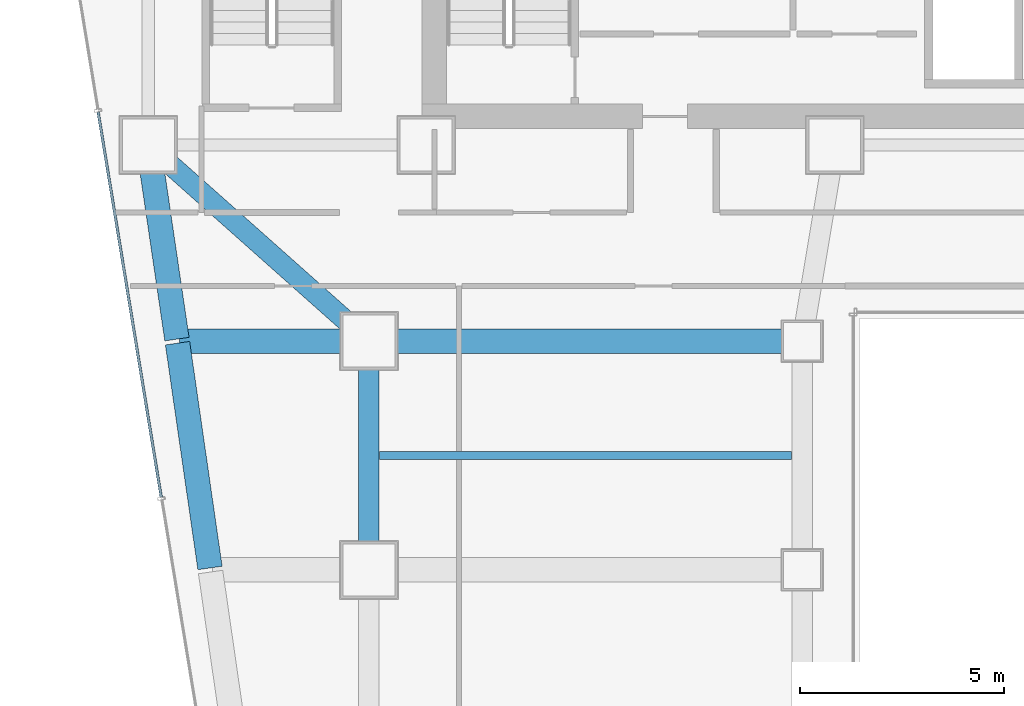
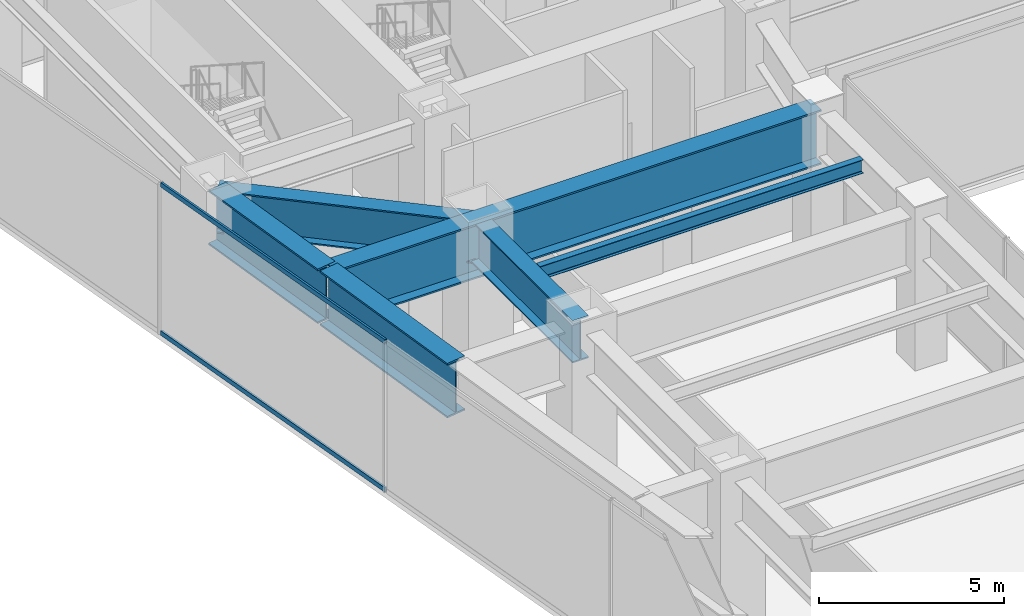
# One storey, part 25 of 42: 6 beams, 2 members, 1 element without a shape of its own.
"""IFC4 building model written with IfcOpenShell, lengths in metres."""

from ifc_helpers import new_model, si_unit, direction, frame, origin, origin_2d, place, context, subcontext, project, spatial, hollow_rectangle, i_section, extrude, material, material_profile, profile_set, type_object, element, aggregate, save


model = new_model("IFC4")

# Units and contexts
model_context = context("Model", 3, precision=1e-05, world=origin(), true_north=direction((0.0, 1.0)))
body_context = subcontext(model_context, "Body", "Model", "MODEL_VIEW")
ifc_project = project(units=[si_unit("LENGTHUNIT", "METRE"), si_unit("AREAUNIT", "SQUARE_METRE"), si_unit("VOLUMEUNIT", "CUBIC_METRE"), si_unit("PLANEANGLEUNIT", "RADIAN"), si_unit("MASSUNIT", "GRAM", prefix="KILO")], contexts=[model_context])

# Site, building, storey
site_placement = place(None, origin())
site = spatial("IfcSite", under=ifc_project, at=site_placement, CompositionType="ELEMENT")
building_placement = place(site_placement, origin())
building = spatial("IfcBuilding", under=site, at=building_placement, Name="Saevonmaru Cultural Tower", CompositionType="ELEMENT")
storey_placement = place(building_placement, frame((0.0, 0.0, 33.0)))
storey = spatial("IfcBuildingStorey", under=building, at=storey_placement, Name="L06", CompositionType="ELEMENT", Elevation=33.0)

# Beams
ifc_material_1 = material(Name="Steel SM355", Category="steel")
ifc_material_profile_1 = material_profile(ifc_material_1, i_section(OverallWidth=0.199951171875, OverallDepth=0.449951171875, WebThickness=0.009033203125, FlangeThickness=0.013916015625, FilletRadius=0.01806640625, at=origin_2d()), Name="H-450x200x9x14")
ifc_profile_set_1 = profile_set([ifc_material_profile_1], Name="Steel SM355")
beam_type_1 = type_object("IfcBeamType", Name="BM-J-H450", PredefinedType="JOIST", material=ifc_profile_set_1)
beam_1_placement = place(storey_placement, frame((12.4580078125, 34.800048828125, 4.72509765625), z_axis=(1.0, 0.0, 0.0), x_axis=(0.0, 1.0, 0.0)))
element("IfcBeam", 1, at=beam_1_placement, inside=storey, type_object=beam_type_1, Name="L06 Secondary Floor Joist JW-4", PredefinedType="JOIST", context=body_context, shape_type="SweptSolid", body=[
    extrude(i_section(OverallWidth=0.199951171875, OverallDepth=0.449951171875, WebThickness=0.009033203125, FlangeThickness=0.013916015625, FilletRadius=0.01806640625, at=origin_2d()), origin(), (0.0, 0.0, 1.0), 10.083984375),
])
ifc_material_2 = material(Name="Steel HSA600 (600 MPa)", Category="steel")
ifc_material_profile_2 = material_profile(ifc_material_2, i_section(OverallWidth=0.5, OverallDepth=1.39990234375, WebThickness=0.02392578125, FlangeThickness=0.044921875, at=origin_2d()), Name="PG-1400x500x24x45")
ifc_profile_set_2 = profile_set([ifc_material_profile_2], Name="Steel HSA600 (600 MPa)")
beam_type_2 = type_object("IfcBeamType", Name="BM-TG-PG1400", PredefinedType="BEAM", material=ifc_profile_set_2)
beam_2_placement = place(storey_placement, frame((12.199951171875, 32.06005859375, 4.25), z_axis=(0.0, 1.0, 0.0), x_axis=(-1.0, 0.0, 0.0)))
element("IfcBeam", 2, at=beam_2_placement, inside=storey, type_object=beam_type_2, Name="L06 Podium Girder NS1-5", PredefinedType="BEAM", context=body_context, shape_type="SweptSolid", body=[
    extrude(i_section(OverallWidth=0.5, OverallDepth=1.39990234375, WebThickness=0.02392578125, FlangeThickness=0.044921875, at=origin_2d()), origin(), (0.0, 0.0, 1.0), 5.47998046875),
])
beam_3_placement = place(storey_placement, frame((12.1552734375, 37.639892578125, 4.25), z_axis=(-0.74742827637, 0.664342510819, 0.0), x_axis=(-0.664342510819, -0.74742827637, 0.0)))
element("IfcBeam", 3, at=beam_3_placement, inside=storey, type_object=beam_type_2, Name="L06 Podium Girder NS1-6", PredefinedType="BEAM", context=body_context, shape_type="SweptSolid", body=[
    extrude(i_section(OverallWidth=0.5, OverallDepth=1.39990234375, WebThickness=0.02392578125, FlangeThickness=0.044921875, at=origin_2d()), origin(), (0.0, 0.0, 1.0), 7.10498046875),
])
ifc_material_profile_3 = material_profile(ifc_material_2, i_section(OverallWidth=0.60009765625, OverallDepth=1.800048828125, WebThickness=0.028076171875, FlangeThickness=0.054931640625, at=origin_2d()), Name="PG-1800x600x28x55")
ifc_profile_set_3 = profile_set([ifc_material_profile_3], Name="Steel HSA600 (600 MPa)")
beam_type_3 = type_object("IfcBeamType", Name="BM-TG-PG1800", PredefinedType="BEAM", material=ifc_profile_set_3)
beam_4_placement = place(storey_placement, frame((7.568115234375, 37.60009765625, 4.050048828125), z_axis=(1.0, 0.0, 0.0), x_axis=(0.0, 1.0, 0.0)))
element("IfcBeam", 4, at=beam_4_placement, inside=storey, type_object=beam_type_3, Name="L06 Transfer Plate Girder W-5", PredefinedType="BEAM", context=body_context, shape_type="SweptSolid", body=[
    extrude(i_section(OverallWidth=0.60009765625, OverallDepth=1.800048828125, WebThickness=0.028076171875, FlangeThickness=0.054931640625, at=origin_2d()), origin(), (0.0, 0.0, 1.0), 15.171875),
])
ifc_material_profile_4 = material_profile(ifc_material_2, i_section(OverallWidth=0.60009765625, OverallDepth=1.800048828125, WebThickness=0.028076171875, FlangeThickness=0.054931640625, at=origin_2d()), Name="PG-1800x600x28x55")
ifc_profile_set_4 = profile_set([ifc_material_profile_4], Name="Steel HSA600 (600 MPa)")
beam_type_4 = type_object("IfcBeamType", Name="BM-TG-PG1800-EXT", PredefinedType="SPANDREL", material=ifc_profile_set_4)
beam_5_placement = place(storey_placement, frame((8.309814453125, 32.049560546875, 4.050048828125), z_axis=(-0.142977017512, 0.989726008784, 0.0), x_axis=(-0.989726008784, -0.142977017512, 0.0)))
element("IfcBeam", 5, at=beam_5_placement, inside=storey, type_object=beam_type_4, Name="L06 Perimeter Transfer Spandrel W-5", PredefinedType="SPANDREL", context=body_context, shape_type="SweptSolid", body=[
    extrude(i_section(OverallWidth=0.60009765625, OverallDepth=1.800048828125, WebThickness=0.028076171875, FlangeThickness=0.054931640625, at=origin_2d()), origin(), (0.0, 0.0, 1.0), 5.55810546875),
])
beam_6_placement = place(storey_placement, frame((7.500732421875, 37.6494140625, 4.050048828125), z_axis=(-0.145908118691, 0.989298145606, 0.0), x_axis=(-0.989298145606, -0.145908118691, 0.0)))
element("IfcBeam", 6, at=beam_6_placement, inside=storey, type_object=beam_type_4, Name="L06 Perimeter Transfer Spandrel W-6", PredefinedType="SPANDREL", context=body_context, shape_type="SweptSolid", body=[
    extrude(i_section(OverallWidth=0.60009765625, OverallDepth=1.800048828125, WebThickness=0.028076171875, FlangeThickness=0.054931640625, at=origin_2d()), origin(), (0.0, 0.0, 1.0), 4.751953125),
])

# Curtain wall, members
ifc_material_3 = material(Name="Satin Bronze Anodised Aluminium", Category="aluminium")
curtain_wall_type = type_object("IfcCurtainWallType", Name="CW-SKY-GLZ", PredefinedType="NOTDEFINED", material=ifc_material_3)
curtain_wall_placement = place(storey_placement, origin())
curtain_wall = element("IfcCurtainWall", 7, at=curtain_wall_placement, inside=storey, type_object=curtain_wall_type, Name="L06 Unitised Curtain Wall E12", PredefinedType="NOTDEFINED")
ifc_material_profile_5 = material_profile(ifc_material_3, hollow_rectangle(XDim=0.06494140625, YDim=0.14990234375, WallThickness=0.00390625, at=origin_2d()), Name="ALU-TRAN-150x65x4")
ifc_profile_set_5 = profile_set([ifc_material_profile_5], Name="Satin Bronze Anodised Aluminium")
member_type = type_object("IfcMemberType", Name="TR-CW-150x65", PredefinedType="USERDEFINED", material=ifc_profile_set_5)
member_1_placement = place(storey_placement, frame((5.571044921875, 43.21240234375, 0.032470703125), z_axis=(0.161714267134, -0.986837623829, 0.0), x_axis=(0.986837623829, 0.161714267134, 0.0)))
member_1 = element("IfcMember", 8, at=member_1_placement, type_object=member_type, Name="CW-TW-L06-E12 transom 2.1", ObjectType="TRANSOM", PredefinedType="USERDEFINED", context=body_context, shape_type="SweptSolid", body=[
    extrude(hollow_rectangle(XDim=0.06494140625, YDim=0.14990234375, WallThickness=0.00390625, at=origin_2d()), origin(), (0.0, 0.0, 1.0), 9.557861328125),
])
member_2_placement = place(storey_placement, frame((5.571044921875, 43.21240234375, 4.91748046875), z_axis=(0.161714267134, -0.986837623829, 0.0), x_axis=(0.986837623829, 0.161714267134, 0.0)))
member_2 = element("IfcMember", 9, at=member_2_placement, type_object=member_type, Name="CW-TW-L06-E12 transom 2.2", ObjectType="TRANSOM", PredefinedType="USERDEFINED", context=body_context, shape_type="SweptSolid", body=[
    extrude(hollow_rectangle(XDim=0.06494140625, YDim=0.14990234375, WallThickness=0.00390625, at=origin_2d()), origin(), (0.0, 0.0, 1.0), 9.557861328125),
])
aggregate(curtain_wall, [member_1, member_2])

save(model, "model.ifc")
